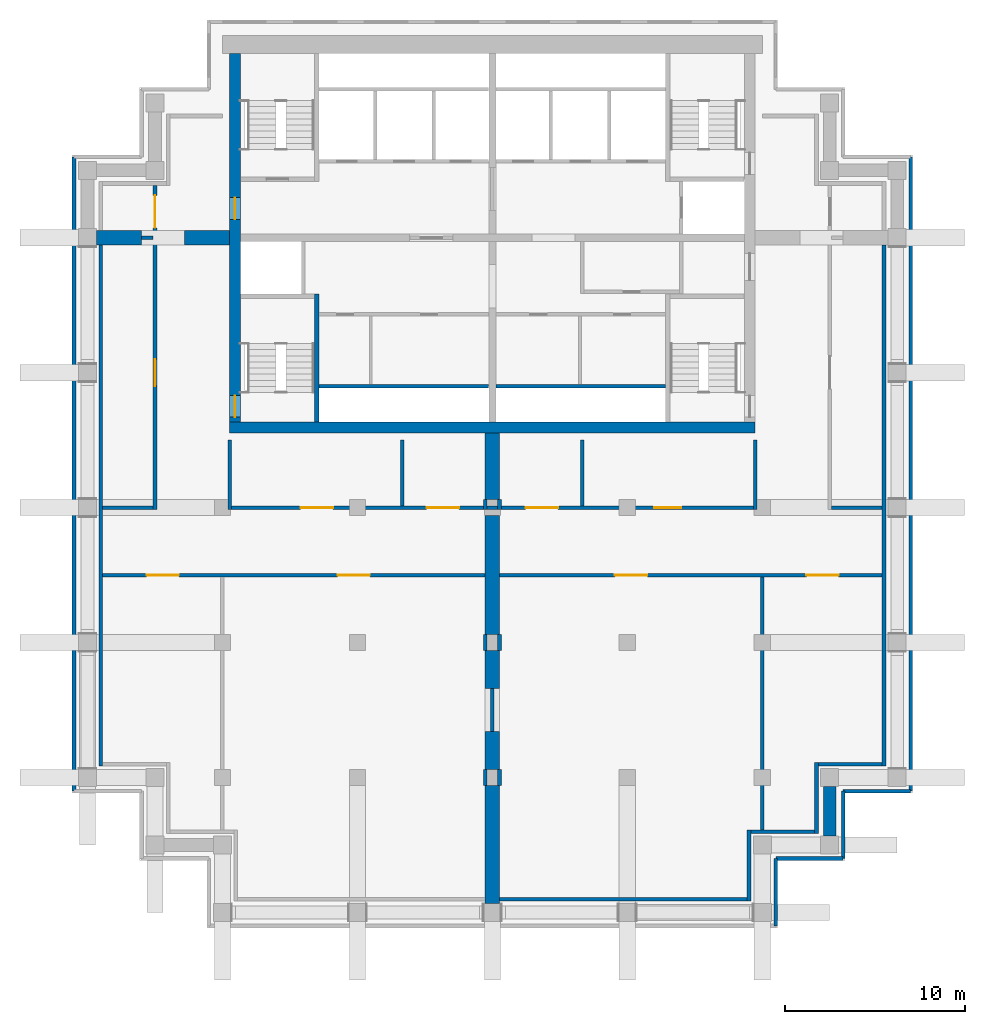
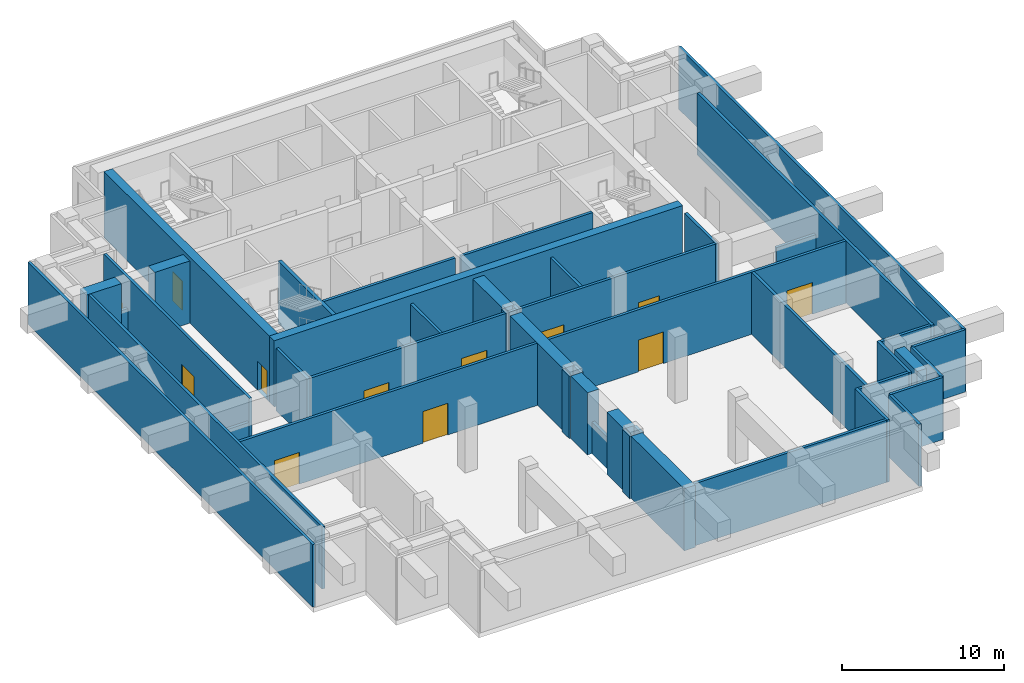
# One storey, part 2 of 6: 47 walls, 12 doors, 12 openings.
"""IFC4 building model written with IfcOpenShell, lengths in metres."""

from ifc_helpers import new_model, si_unit, direction, frame, frame_2d, origin, place, context, subcontext, project, spatial, rectangle, extrude, material, layer, layer_set, type_object, element, fill, save


model = new_model("IFC4")

# Units and contexts
model_context = context("Model", 3, precision=1e-05, world=origin(), true_north=direction((0.0, 1.0)))
body_context = subcontext(model_context, "Body", "Model", "MODEL_VIEW")
ifc_project = project(units=[si_unit("LENGTHUNIT", "METRE"), si_unit("AREAUNIT", "SQUARE_METRE"), si_unit("VOLUMEUNIT", "CUBIC_METRE"), si_unit("PLANEANGLEUNIT", "RADIAN"), si_unit("MASSUNIT", "GRAM", prefix="KILO")], contexts=[model_context])

# Site, building, storey
site_placement = place(None, origin())
site = spatial("IfcSite", under=ifc_project, at=site_placement, CompositionType="ELEMENT")
building_placement = place(site_placement, origin())
building = spatial("IfcBuilding", under=site, at=building_placement, Name="Pilkhan Gate Tower", CompositionType="ELEMENT")
storey_placement = place(building_placement, frame((0.0, 0.0, 183.699951171875)))
storey = spatial("IfcBuildingStorey", under=building, at=storey_placement, Name="L47", CompositionType="ELEMENT", Elevation=183.699951171875)

# Walls
ifc_material_1 = material(Name="Concrete C60/75", Category="concrete")
ifc_layer_1 = layer(ifc_material_1, 0.699951171875)
ifc_layer_set_1 = layer_set([ifc_layer_1], Name="Belt wall BW700 C60/75")
wall_type_1 = type_object("IfcWallType", Name="Belt wall BW700 C60/75", PredefinedType="SHEAR", material=ifc_layer_set_1)
wall_1_placement = place(storey_placement, frame((93.75, 52.0, 0.0), z_axis=(0.0, 0.0, 1.0), x_axis=(0.0, -1.0, 0.0)))
element("IfcWall", 1, at=wall_1_placement, inside=storey, type_object=wall_type_1, Name="Belt wall 1 L47", PredefinedType="SHEAR", context=body_context, shape_type="SweptSolid", body=[
    extrude(rectangle(XDim=2.75, YDim=0.699951171875, at=frame_2d((1.375, 0.0))), origin(), (0.0, 0.0, 1.0), 4.699951171875),
])
ifc_material_2 = material(Name="Concrete C50/60", Category="concrete")
ifc_layer_2 = layer(ifc_material_2, 0.60009765625)
ifc_layer_set_2 = layer_set([ifc_layer_2], Name="Core wall CW600 C50/60")
wall_type_2 = type_object("IfcWallType", Name="Core wall CW600 C50/60", PredefinedType="SHEAR", material=ifc_layer_set_2)
wall_2_placement = place(storey_placement, frame((60.39990234375, 71.949951171875, 0.0), z_axis=(0.0, 0.0, 1.0), x_axis=(1.0, 0.0, 0.0)))
element("IfcWall", 2, at=wall_2_placement, inside=storey, type_object=wall_type_2, Name="Core wall S L47", PredefinedType="SHEAR", context=body_context, shape_type="SweptSolid", body=[
    extrude(rectangle(XDim=29.2001953125, YDim=0.60009765625, at=frame_2d((14.60009765625, 0.0))), origin(), (0.0, 0.0, 1.0), 5.0),
])

# Wall, openings, doors
wall_3_placement = place(storey_placement, frame((60.699951171875, 92.75, 0.0), z_axis=(0.0, 0.0, 1.0), x_axis=(0.0, -1.0, 0.0)))
wall_3 = element("IfcWall", 3, at=wall_3_placement, inside=storey, type_object=wall_type_2, Name="Core wall W L47", PredefinedType="SHEAR", context=body_context, shape_type="SweptSolid", body=[
    extrude(rectangle(XDim=20.5, YDim=0.60009765625, at=frame_2d((10.25, 0.0))), origin(), (0.0, 0.0, 1.0), 5.0),
])
opening_1_placement = place(wall_3_placement, frame((19.02490234375, 0.0, 0.0)))
opening_1 = element("IfcOpeningElement", 4, at=opening_1_placement, cuts=wall_3, Name="Opening L47-04", PredefinedType="OPENING", context=body_context, shape_type="SweptSolid", body=[
    extrude(rectangle(XDim=1.199951171875, YDim=2.199951171875, at=frame_2d((0.60009765625, 1.10009765625))), frame((0.0, 0.31005859375, 0.0), z_axis=(0.0, -1.0, 0.0), x_axis=(1.0, 0.0, 0.0)), (0.0, 0.0, 1.0), 0.6201171875),
])
opening_2_placement = place(wall_3_placement, frame((8.02490234375, 0.0, 0.0)))
opening_2 = element("IfcOpeningElement", 5, at=opening_2_placement, cuts=wall_3, Name="Opening L47-11", PredefinedType="OPENING", context=body_context, shape_type="SweptSolid", body=[
    extrude(rectangle(XDim=1.199951171875, YDim=2.199951171875, at=frame_2d((0.60009765625, 1.10009765625))), frame((0.0, 0.31005859375, 0.0), z_axis=(0.0, -1.0, 0.0), x_axis=(1.0, 0.0, 0.0)), (0.0, 0.0, 1.0), 0.6201171875),
])
ifc_material_3 = material(Name="Steel door, 120 minute fire resisting, self-closing", Category="steel")
door_type_1 = type_object("IfcDoorType", Name="Firefighting lobby door D10 1200x2200", OperationType="SINGLE_SWING_LEFT", PredefinedType="DOOR", material=ifc_material_3)
door_1_placement = place(opening_2_placement, origin())
door_1 = element("IfcDoor", 6, at=door_1_placement, inside=storey, type_object=door_type_1, Name="Core door", OperationType="SINGLE_SWING_LEFT", OverallHeight=2.199951171875, OverallWidth=1.199951171875, PredefinedType="DOOR", context=body_context, shape_type="SweptSolid", body=[
    extrude(rectangle(XDim=1.199951171875, YDim=2.199951171875, at=frame_2d((0.60009765625, 1.10009765625))), frame((0.0, 0.02490234375, 0.0), z_axis=(0.0, -1.0, 0.0), x_axis=(1.0, 0.0, 0.0)), (0.0, 0.0, 1.0), 0.050048828125),
])
fill(opening_2, door_1)
ifc_material_4 = material(Name="Steel door, 120 minute fire resisting, panic bar", Category="steel")
door_type_2 = type_object("IfcDoorType", Name="Stair door D11 1200x2200", OperationType="SINGLE_SWING_LEFT", PredefinedType="DOOR", material=ifc_material_4)
door_2_placement = place(opening_1_placement, origin())
door_2 = element("IfcDoor", 7, at=door_2_placement, inside=storey, type_object=door_type_2, Name="Stair ST2 door", OperationType="SINGLE_SWING_RIGHT", OverallHeight=2.199951171875, OverallWidth=1.199951171875, PredefinedType="DOOR", context=body_context, shape_type="SweptSolid", body=[
    extrude(rectangle(XDim=1.199951171875, YDim=2.199951171875, at=frame_2d((0.60009765625, 1.10009765625))), frame((0.0, 0.02490234375, 0.0), z_axis=(0.0, -1.0, 0.0), x_axis=(1.0, 0.0, 0.0)), (0.0, 0.0, 1.0), 0.050048828125),
])
fill(opening_1, door_2)

# Walls
ifc_material_5 = material(Name="Dense blockwork", Category="masonry")
ifc_layer_3 = layer(ifc_material_5, 0.199951171875)
ifc_layer_set_3 = layer_set([ifc_layer_3], Name="Corridor wall FW200")
wall_type_3 = type_object("IfcWallType", Name="Corridor wall FW200", PredefinedType="PARTITIONING", material=ifc_layer_set_3)
wall_4_placement = place(storey_placement, frame((74.699951171875, 67.5, 0.0), z_axis=(0.0, 0.0, 1.0), x_axis=(1.0, 0.0, 0.0)))
element("IfcWall", 8, at=wall_4_placement, inside=storey, type_object=wall_type_3, Name="Partition L47", PredefinedType="PARTITIONING", context=body_context, shape_type="SweptSolid", body=[
    extrude(rectangle(XDim=0.60009765625, YDim=0.199951171875, at=frame_2d((0.300048828125, 0.0))), origin(), (0.0, 0.0, 1.0), 4.699951171875),
])
ifc_layer_4 = layer(ifc_material_5, 0.199951171875)
ifc_layer_set_4 = layer_set([ifc_layer_4], Name="Lobby wall LW200")
wall_type_4 = type_object("IfcWallType", Name="Lobby wall LW200", PredefinedType="PARTITIONING", material=ifc_layer_set_4)
wall_5_placement = place(storey_placement, frame((75.409912109375, 45.735107421875, 0.0), z_axis=(0.0, 0.0, 1.0), x_axis=(1.0, 0.0, 0.0)))
element("IfcWall", 9, at=wall_5_placement, inside=storey, type_object=wall_type_4, Name="Partition L47", PredefinedType="PARTITIONING", context=body_context, shape_type="SweptSolid", body=[
    extrude(rectangle(XDim=13.755126953125, YDim=0.199951171875, at=frame_2d((6.87744140625, 0.0))), origin(), (0.0, 0.0, 1.0), 4.699951171875),
])
for number, where, z_axis, x_axis, name in (
    (10, (89.364990234375, 49.485107421875, 0.0), (0.0, 0.0, 1.0), (1.0, 0.0, 0.0), "Partition L47"),
    (11, (93.114990234375, 53.235107421875, 0.0), (0.0, 0.0, 1.0), (1.0, 0.0, 0.0), "Partition L47"),
):
    element("IfcWall", number, at=place(storey_placement, frame(where, z_axis=z_axis, x_axis=x_axis)), inside=storey, type_object=wall_type_4, Name=name, PredefinedType="PARTITIONING", context=body_context, shape_type="SweptSolid", body=[
        extrude(rectangle(XDim=3.550048828125, YDim=0.199951171875, at=frame_2d((1.77490234375, 0.0))), origin(), (0.0, 0.0, 1.0), 4.699951171875),
    ])

# Wall, openings, doors
wall_6_placement = place(storey_placement, frame((53.3349609375, 63.75, 0.0), z_axis=(0.0, 0.0, 1.0), x_axis=(1.0, 0.0, 0.0)))
wall_6 = element("IfcWall", 12, at=wall_6_placement, inside=storey, type_object=wall_type_4, Name="Partition L47", PredefinedType="PARTITIONING", context=body_context, shape_type="SweptSolid", body=[
    extrude(rectangle(XDim=21.255126953125, YDim=0.199951171875, at=frame_2d((10.62744140625, 0.0))), origin(), (0.0, 0.0, 1.0), 4.699951171875),
])
opening_3_placement = place(wall_6_placement, frame((2.449951171875, 0.0, 0.0)))
opening_3 = element("IfcOpeningElement", 13, at=opening_3_placement, cuts=wall_6, Name="Opening L47-16", PredefinedType="OPENING", context=body_context, shape_type="SweptSolid", body=[
    extrude(rectangle(XDim=1.800048828125, YDim=2.39990234375, at=frame_2d((0.89990234375, 1.199951171875))), frame((0.0, 0.10986328125, 0.0), z_axis=(0.0, -1.0, 0.0), x_axis=(1.0, 0.0, 0.0)), (0.0, 0.0, 1.0), 0.219970703125),
])
opening_4_placement = place(wall_6_placement, frame((13.06494140625, 0.0, 0.0)))
opening_4 = element("IfcOpeningElement", 14, at=opening_4_placement, cuts=wall_6, Name="Opening L47-17", PredefinedType="OPENING", context=body_context, shape_type="SweptSolid", body=[
    extrude(rectangle(XDim=1.800048828125, YDim=2.39990234375, at=frame_2d((0.89990234375, 1.199951171875))), frame((0.0, 0.10986328125, 0.0), z_axis=(0.0, -1.0, 0.0), x_axis=(1.0, 0.0, 0.0)), (0.0, 0.0, 1.0), 0.219970703125),
])
ifc_material_6 = material(Name="Steel door, 120 minute fire resisting", Category="steel")
door_type_3 = type_object("IfcDoorType", Name="Plant room door D08 1800x2400", OperationType="DOUBLE_DOOR_SINGLE_SWING", PredefinedType="DOOR", material=ifc_material_6)
door_3_placement = place(opening_3_placement, origin())
door_3 = element("IfcDoor", 15, at=door_3_placement, inside=storey, type_object=door_type_3, Name="Plant room door", OperationType="DOUBLE_DOOR_SINGLE_SWING", OverallHeight=2.39990234375, OverallWidth=1.800048828125, PredefinedType="DOOR", context=body_context, shape_type="SweptSolid", body=[
    extrude(rectangle(XDim=1.800048828125, YDim=2.39990234375, at=frame_2d((0.89990234375, 1.199951171875))), frame((0.0, 0.02490234375, 0.0), z_axis=(0.0, -1.0, 0.0), x_axis=(1.0, 0.0, 0.0)), (0.0, 0.0, 1.0), 0.050048828125),
])
fill(opening_3, door_3)
door_4_placement = place(opening_4_placement, origin())
door_4 = element("IfcDoor", 16, at=door_4_placement, inside=storey, type_object=door_type_3, Name="Plant room door", OperationType="DOUBLE_DOOR_SINGLE_SWING", OverallHeight=2.39990234375, OverallWidth=1.800048828125, PredefinedType="DOOR", context=body_context, shape_type="SweptSolid", body=[
    extrude(rectangle(XDim=1.800048828125, YDim=2.39990234375, at=frame_2d((0.89990234375, 1.199951171875))), frame((0.0, 0.02490234375, 0.0), z_axis=(0.0, -1.0, 0.0), x_axis=(1.0, 0.0, 0.0)), (0.0, 0.0, 1.0), 0.050048828125),
])
fill(opening_4, door_4)

wall_7_placement = place(storey_placement, frame((75.409912109375, 63.75, 0.0), z_axis=(0.0, 0.0, 1.0), x_axis=(1.0, 0.0, 0.0)))
wall_7 = element("IfcWall", 17, at=wall_7_placement, inside=storey, type_object=wall_type_4, Name="Partition L47", PredefinedType="PARTITIONING", context=body_context, shape_type="SweptSolid", body=[
    extrude(rectangle(XDim=21.255126953125, YDim=0.199951171875, at=frame_2d((10.62744140625, 0.0))), origin(), (0.0, 0.0, 1.0), 4.699951171875),
])
opening_5_placement = place(wall_7_placement, frame((6.39990234375, 0.0, 0.0)))
opening_5 = element("IfcOpeningElement", 18, at=opening_5_placement, cuts=wall_7, Name="Opening L47-18", PredefinedType="OPENING", context=body_context, shape_type="SweptSolid", body=[
    extrude(rectangle(XDim=1.800048828125, YDim=2.39990234375, at=frame_2d((0.89990234375, 1.199951171875))), frame((0.0, 0.10986328125, 0.0), z_axis=(0.0, -1.0, 0.0), x_axis=(1.0, 0.0, 0.0)), (0.0, 0.0, 1.0), 0.219970703125),
])
opening_6_placement = place(wall_7_placement, frame((17.0400390625, 0.0, 0.0)))
opening_6 = element("IfcOpeningElement", 19, at=opening_6_placement, cuts=wall_7, Name="Opening L47-19", PredefinedType="OPENING", context=body_context, shape_type="SweptSolid", body=[
    extrude(rectangle(XDim=1.800048828125, YDim=2.39990234375, at=frame_2d((0.89990234375, 1.199951171875))), frame((0.0, 0.10986328125, 0.0), z_axis=(0.0, -1.0, 0.0), x_axis=(1.0, 0.0, 0.0)), (0.0, 0.0, 1.0), 0.219970703125),
])
door_5_placement = place(opening_5_placement, origin())
door_5 = element("IfcDoor", 20, at=door_5_placement, inside=storey, type_object=door_type_3, Name="Plant room door", OperationType="DOUBLE_DOOR_SINGLE_SWING", OverallHeight=2.39990234375, OverallWidth=1.800048828125, PredefinedType="DOOR", context=body_context, shape_type="SweptSolid", body=[
    extrude(rectangle(XDim=1.800048828125, YDim=2.39990234375, at=frame_2d((0.89990234375, 1.199951171875))), frame((0.0, 0.02490234375, 0.0), z_axis=(0.0, -1.0, 0.0), x_axis=(1.0, 0.0, 0.0)), (0.0, 0.0, 1.0), 0.050048828125),
])
fill(opening_5, door_5)
door_6_placement = place(opening_6_placement, origin())
door_6 = element("IfcDoor", 21, at=door_6_placement, inside=storey, type_object=door_type_3, Name="Plant room door", OperationType="DOUBLE_DOOR_SINGLE_SWING", OverallHeight=2.39990234375, OverallWidth=1.800048828125, PredefinedType="DOOR", context=body_context, shape_type="SweptSolid", body=[
    extrude(rectangle(XDim=1.800048828125, YDim=2.39990234375, at=frame_2d((0.89990234375, 1.199951171875))), frame((0.0, 0.02490234375, 0.0), z_axis=(0.0, -1.0, 0.0), x_axis=(1.0, 0.0, 0.0)), (0.0, 0.0, 1.0), 0.050048828125),
])
fill(opening_6, door_6)

# Wall
wall_8_placement = place(storey_placement, frame((53.3349609375, 67.5, 0.0), z_axis=(0.0, 0.0, 1.0), x_axis=(1.0, 0.0, 0.0)))
element("IfcWall", 22, at=wall_8_placement, inside=storey, type_object=wall_type_4, Name="Partition L47", PredefinedType="PARTITIONING", context=body_context, shape_type="SweptSolid", body=[
    extrude(rectangle(XDim=2.81494140625, YDim=0.199951171875, at=frame_2d((1.407470703125, 0.0))), origin(), (0.0, 0.0, 1.0), 2.900146484375),
])

# Wall, openings, doors
wall_9_placement = place(storey_placement, frame((60.5, 67.5, 0.0), z_axis=(0.0, 0.0, 1.0), x_axis=(1.0, 0.0, 0.0)))
wall_9 = element("IfcWall", 23, at=wall_9_placement, inside=storey, type_object=wall_type_4, Name="Partition L47", PredefinedType="PARTITIONING", context=body_context, shape_type="SweptSolid", body=[
    extrude(rectangle(XDim=14.0, YDim=0.199951171875, at=frame_2d((7.0, 0.0))), origin(), (0.0, 0.0, 1.0), 4.699951171875),
])
opening_7_placement = place(wall_9_placement, frame((3.85009765625, 0.0, 0.0)))
opening_7 = element("IfcOpeningElement", 24, at=opening_7_placement, cuts=wall_9, Name="Opening L47-20", PredefinedType="OPENING", context=body_context, shape_type="SweptSolid", body=[
    extrude(rectangle(XDim=1.800048828125, YDim=2.39990234375, at=frame_2d((0.89990234375, 1.199951171875))), frame((0.0, 0.10986328125, 0.0), z_axis=(0.0, -1.0, 0.0), x_axis=(1.0, 0.0, 0.0)), (0.0, 0.0, 1.0), 0.219970703125),
])
opening_8_placement = place(wall_9_placement, frame((10.85009765625, 0.0, 0.0)))
opening_8 = element("IfcOpeningElement", 25, at=opening_8_placement, cuts=wall_9, Name="Opening L47-21", PredefinedType="OPENING", context=body_context, shape_type="SweptSolid", body=[
    extrude(rectangle(XDim=1.800048828125, YDim=2.39990234375, at=frame_2d((0.89990234375, 1.199951171875))), frame((0.0, 0.10986328125, 0.0), z_axis=(0.0, -1.0, 0.0), x_axis=(1.0, 0.0, 0.0)), (0.0, 0.0, 1.0), 0.219970703125),
])
door_7_placement = place(opening_7_placement, origin())
door_7 = element("IfcDoor", 26, at=door_7_placement, inside=storey, type_object=door_type_3, Name="Plant room door", OperationType="DOUBLE_DOOR_SINGLE_SWING", OverallHeight=2.39990234375, OverallWidth=1.800048828125, PredefinedType="DOOR", context=body_context, shape_type="SweptSolid", body=[
    extrude(rectangle(XDim=1.800048828125, YDim=2.39990234375, at=frame_2d((0.89990234375, 1.199951171875))), frame((0.0, 0.02490234375, 0.0), z_axis=(0.0, -1.0, 0.0), x_axis=(1.0, 0.0, 0.0)), (0.0, 0.0, 1.0), 0.050048828125),
])
fill(opening_7, door_7)
door_8_placement = place(opening_8_placement, origin())
door_8 = element("IfcDoor", 27, at=door_8_placement, inside=storey, type_object=door_type_3, Name="Plant room door", OperationType="DOUBLE_DOOR_SINGLE_SWING", OverallHeight=2.39990234375, OverallWidth=1.800048828125, PredefinedType="DOOR", context=body_context, shape_type="SweptSolid", body=[
    extrude(rectangle(XDim=1.800048828125, YDim=2.39990234375, at=frame_2d((0.89990234375, 1.199951171875))), frame((0.0, 0.02490234375, 0.0), z_axis=(0.0, -1.0, 0.0), x_axis=(1.0, 0.0, 0.0)), (0.0, 0.0, 1.0), 0.050048828125),
])
fill(opening_8, door_8)

wall_10_placement = place(storey_placement, frame((75.5, 67.5, 0.0), z_axis=(0.0, 0.0, 1.0), x_axis=(1.0, 0.0, 0.0)))
wall_10 = element("IfcWall", 28, at=wall_10_placement, inside=storey, type_object=wall_type_4, Name="Partition L47", PredefinedType="PARTITIONING", context=body_context, shape_type="SweptSolid", body=[
    extrude(rectangle(XDim=14.0, YDim=0.199951171875, at=frame_2d((7.0, 0.0))), origin(), (0.0, 0.0, 1.0), 4.699951171875),
])
opening_9_placement = place(wall_10_placement, frame((8.5, 0.0, 0.0)))
opening_9 = element("IfcOpeningElement", 29, at=opening_9_placement, cuts=wall_10, Name="Opening L47-06", PredefinedType="OPENING", context=body_context, shape_type="SweptSolid", body=[
    extrude(rectangle(XDim=1.5, YDim=2.199951171875, at=frame_2d((0.75, 1.10009765625))), frame((0.0, 0.10986328125, 0.0), z_axis=(0.0, -1.0, 0.0), x_axis=(1.0, 0.0, 0.0)), (0.0, 0.0, 1.0), 0.219970703125),
])
opening_10_placement = place(wall_10_placement, frame((1.35009765625, 0.0, 0.0)))
opening_10 = element("IfcOpeningElement", 30, at=opening_10_placement, cuts=wall_10, Name="Opening L47-22", PredefinedType="OPENING", context=body_context, shape_type="SweptSolid", body=[
    extrude(rectangle(XDim=1.800048828125, YDim=2.39990234375, at=frame_2d((0.89990234375, 1.199951171875))), frame((0.0, 0.10986328125, 0.0), z_axis=(0.0, -1.0, 0.0), x_axis=(1.0, 0.0, 0.0)), (0.0, 0.0, 1.0), 0.219970703125),
])
ifc_material_7 = material(Name="Steel framed glazed door, 60 minute fire resisting", Category="steel")
door_type_4 = type_object("IfcDoorType", Name="Lobby door D09 1500x2200", OperationType="DOUBLE_DOOR_SINGLE_SWING", PredefinedType="DOOR", material=ifc_material_7)
door_9_placement = place(opening_9_placement, origin())
door_9 = element("IfcDoor", 31, at=door_9_placement, inside=storey, type_object=door_type_4, Name="Refuge door", OperationType="DOUBLE_DOOR_SINGLE_SWING", OverallHeight=2.199951171875, OverallWidth=1.5, PredefinedType="DOOR", context=body_context, shape_type="SweptSolid", body=[
    extrude(rectangle(XDim=1.5, YDim=2.199951171875, at=frame_2d((0.75, 1.10009765625))), frame((0.0, 0.02490234375, 0.0), z_axis=(0.0, -1.0, 0.0), x_axis=(1.0, 0.0, 0.0)), (0.0, 0.0, 1.0), 0.050048828125),
])
fill(opening_9, door_9)
door_10_placement = place(opening_10_placement, origin())
door_10 = element("IfcDoor", 32, at=door_10_placement, inside=storey, type_object=door_type_3, Name="Plant room door", OperationType="DOUBLE_DOOR_SINGLE_SWING", OverallHeight=2.39990234375, OverallWidth=1.800048828125, PredefinedType="DOOR", context=body_context, shape_type="SweptSolid", body=[
    extrude(rectangle(XDim=1.800048828125, YDim=2.39990234375, at=frame_2d((0.89990234375, 1.199951171875))), frame((0.0, 0.02490234375, 0.0), z_axis=(0.0, -1.0, 0.0), x_axis=(1.0, 0.0, 0.0)), (0.0, 0.0, 1.0), 0.050048828125),
])
fill(opening_10, door_10)

# Walls
wall_11_placement = place(storey_placement, frame((93.85009765625, 67.5, 0.0), z_axis=(0.0, 0.0, 1.0), x_axis=(1.0, 0.0, 0.0)))
element("IfcWall", 33, at=wall_11_placement, inside=storey, type_object=wall_type_4, Name="Partition L47", PredefinedType="PARTITIONING", context=body_context, shape_type="SweptSolid", body=[
    extrude(rectangle(XDim=2.81494140625, YDim=0.199951171875, at=frame_2d((1.407470703125, 0.0))), origin(), (0.0, 0.0, 1.0), 2.900146484375),
])
for number, where, z_axis, x_axis, name in (
    (34, (65.375, 74.25, 0.0), (0.0, 0.0, 1.0), (1.0, 0.0, 0.0), "Partition L47"),
    (35, (75.2099609375, 74.25, 0.0), (0.0, 0.0, 1.0), (1.0, 0.0, 0.0), "Partition L47"),
):
    element("IfcWall", number, at=place(storey_placement, frame(where, z_axis=z_axis, x_axis=x_axis)), inside=storey, type_object=wall_type_4, Name=name, PredefinedType="PARTITIONING", context=body_context, shape_type="SweptSolid", body=[
        extrude(rectangle(XDim=9.4150390625, YDim=0.199951171875, at=frame_2d((4.70751953125, 0.0))), origin(), (0.0, 0.0, 1.0), 4.699951171875),
    ])
wall_12_placement = place(storey_placement, frame((55.510009765625, 82.5, 0.0), z_axis=(0.0, 0.0, 1.0), x_axis=(1.0, 0.0, 0.0)))
element("IfcWall", 36, at=wall_12_placement, inside=storey, type_object=wall_type_4, Name="Partition L47", PredefinedType="PARTITIONING", context=body_context, shape_type="SweptSolid", body=[
    extrude(rectangle(XDim=0.639892578125, YDim=0.199951171875, at=frame_2d((0.31982421875, 0.0))), origin(), (0.0, 0.0, 1.0), 2.400146484375),
])
wall_13_placement = place(storey_placement, frame((53.235107421875, 53.135009765625, 0.0), z_axis=(0.0, 0.0, 1.0), x_axis=(0.0, 1.0, 0.0)))
element("IfcWall", 37, at=wall_13_placement, inside=storey, type_object=wall_type_4, Name="Partition L47", PredefinedType="PARTITIONING", context=body_context, shape_type="SweptSolid", body=[
    extrude(rectangle(XDim=28.955078125, YDim=0.199951171875, at=frame_2d((14.4775390625, 0.0))), origin(), (0.0, 0.0, 1.0), 4.699951171875),
])

# Wall, openings, doors
wall_14_placement = place(storey_placement, frame((56.25, 67.39990234375, 0.0), z_axis=(0.0, 0.0, 1.0), x_axis=(0.0, 1.0, 0.0)))
wall_14 = element("IfcWall", 38, at=wall_14_placement, inside=storey, type_object=wall_type_4, Name="Partition L47", PredefinedType="PARTITIONING", context=body_context, shape_type="SweptSolid", body=[
    extrude(rectangle(XDim=18.01513671875, YDim=0.199951171875, at=frame_2d((9.007568359375, 0.0))), origin(), (0.0, 0.0, 1.0), 4.699951171875),
])
opening_11_placement = place(wall_14_placement, frame((6.85009765625, 0.0, 0.0)))
opening_11 = element("IfcOpeningElement", 39, at=opening_11_placement, cuts=wall_14, Name="Opening L47-07", PredefinedType="OPENING", context=body_context, shape_type="SweptSolid", body=[
    extrude(rectangle(XDim=1.5, YDim=2.199951171875, at=frame_2d((0.75, 1.10009765625))), frame((0.0, 0.10986328125, 0.0), z_axis=(0.0, -1.0, 0.0), x_axis=(1.0, 0.0, 0.0)), (0.0, 0.0, 1.0), 0.219970703125),
])
opening_12_placement = place(wall_14_placement, frame((15.64990234375, 0.0, 0.0)))
opening_12 = element("IfcOpeningElement", 40, at=opening_12_placement, cuts=wall_14, Name="Opening L47-23", PredefinedType="OPENING", context=body_context, shape_type="SweptSolid", body=[
    extrude(rectangle(XDim=1.800048828125, YDim=2.39990234375, at=frame_2d((0.89990234375, 1.199951171875))), frame((0.0, 0.10986328125, 0.0), z_axis=(0.0, -1.0, 0.0), x_axis=(1.0, 0.0, 0.0)), (0.0, 0.0, 1.0), 0.219970703125),
])
door_11_placement = place(opening_11_placement, origin())
door_11 = element("IfcDoor", 41, at=door_11_placement, inside=storey, type_object=door_type_4, Name="Refuge door", OperationType="DOUBLE_DOOR_SINGLE_SWING", OverallHeight=2.199951171875, OverallWidth=1.5, PredefinedType="DOOR", context=body_context, shape_type="SweptSolid", body=[
    extrude(rectangle(XDim=1.5, YDim=2.199951171875, at=frame_2d((0.75, 1.10009765625))), frame((0.0, 0.02490234375, 0.0), z_axis=(0.0, -1.0, 0.0), x_axis=(1.0, 0.0, 0.0)), (0.0, 0.0, 1.0), 0.050048828125),
])
fill(opening_11, door_11)
door_12_placement = place(opening_12_placement, origin())
door_12 = element("IfcDoor", 42, at=door_12_placement, inside=storey, type_object=door_type_3, Name="Plant room door", OperationType="DOUBLE_DOOR_SINGLE_SWING", OverallHeight=2.39990234375, OverallWidth=1.800048828125, PredefinedType="DOOR", context=body_context, shape_type="SweptSolid", body=[
    extrude(rectangle(XDim=1.800048828125, YDim=2.39990234375, at=frame_2d((0.89990234375, 1.199951171875))), frame((0.0, 0.02490234375, 0.0), z_axis=(0.0, -1.0, 0.0), x_axis=(1.0, 0.0, 0.0)), (0.0, 0.0, 1.0), 0.050048828125),
])
fill(opening_12, door_12)

# Walls
wall_15_placement = place(storey_placement, frame((60.39990234375, 67.39990234375, 0.0), z_axis=(0.0, 0.0, 1.0), x_axis=(0.0, 1.0, 0.0)))
element("IfcWall", 43, at=wall_15_placement, inside=storey, type_object=wall_type_4, Name="Partition L47", PredefinedType="PARTITIONING", context=body_context, shape_type="SweptSolid", body=[
    extrude(rectangle(XDim=3.85009765625, YDim=0.199951171875, at=frame_2d((1.925048828125, 0.0))), origin(), (0.0, 0.0, 1.0), 4.699951171875),
])
wall_16_placement = place(storey_placement, frame((70.0, 67.60009765625, 0.0), z_axis=(0.0, 0.0, 1.0), x_axis=(0.0, 1.0, 0.0)))
element("IfcWall", 44, at=wall_16_placement, inside=storey, type_object=wall_type_4, Name="Partition L47", PredefinedType="PARTITIONING", context=body_context, shape_type="SweptSolid", body=[
    extrude(rectangle(XDim=3.64990234375, YDim=0.199951171875, at=frame_2d((1.824951171875, 0.0))), origin(), (0.0, 0.0, 1.0), 4.699951171875),
])
for number, where, z_axis, x_axis, name in (
    (45, (74.60009765625, 52.06005859375, 0.0), (0.0, 0.0, 1.0), (0.0, 1.0, 0.0), "Partition L47"),
    (46, (74.60009765625, 59.56005859375, 0.0), (0.0, 0.0, 1.0), (0.0, 1.0, 0.0), "Partition L47"),
):
    element("IfcWall", number, at=place(storey_placement, frame(where, z_axis=z_axis, x_axis=x_axis)), inside=storey, type_object=wall_type_4, Name=name, PredefinedType="PARTITIONING", context=body_context, shape_type="SweptSolid", body=[
        extrude(rectangle(XDim=0.8798828125, YDim=0.199951171875, at=frame_2d((0.43994140625, 0.0))), origin(), (0.0, 0.0, 1.0), 4.699951171875),
    ])
wall_17_placement = place(storey_placement, frame((74.60009765625, 67.39990234375, 0.0), z_axis=(0.0, 0.0, 1.0), x_axis=(0.0, 1.0, 0.0)))
element("IfcWall", 47, at=wall_17_placement, inside=storey, type_object=wall_type_4, Name="Partition L47", PredefinedType="PARTITIONING", context=body_context, shape_type="SweptSolid", body=[
    extrude(rectangle(XDim=0.5400390625, YDim=0.199951171875, at=frame_2d((0.27001953125, 0.0))), origin(), (0.0, 0.0, 1.0), 4.699951171875),
])
wall_18_placement = place(storey_placement, frame((75.0, 55.050048828125, 0.0), z_axis=(0.0, 0.0, 1.0), x_axis=(0.0, 1.0, 0.0)))
element("IfcWall", 48, at=wall_18_placement, inside=storey, type_object=wall_type_4, Name="Partition L47", PredefinedType="PARTITIONING", context=body_context, shape_type="SweptSolid", body=[
    extrude(rectangle(XDim=2.39990234375, YDim=0.199951171875, at=frame_2d((1.199951171875, 0.0))), origin(), (0.0, 0.0, 1.0), 2.400146484375),
])
for number, where, z_axis, x_axis, name in (
    (49, (75.39990234375, 52.06005859375, 0.0), (0.0, 0.0, 1.0), (0.0, 1.0, 0.0), "Partition L47"),
    (50, (75.39990234375, 59.56005859375, 0.0), (0.0, 0.0, 1.0), (0.0, 1.0, 0.0), "Partition L47"),
):
    element("IfcWall", number, at=place(storey_placement, frame(where, z_axis=z_axis, x_axis=x_axis)), inside=storey, type_object=wall_type_4, Name=name, PredefinedType="PARTITIONING", context=body_context, shape_type="SweptSolid", body=[
        extrude(rectangle(XDim=0.8798828125, YDim=0.199951171875, at=frame_2d((0.43994140625, 0.0))), origin(), (0.0, 0.0, 1.0), 4.699951171875),
    ])
wall_19_placement = place(storey_placement, frame((75.39990234375, 67.39990234375, 0.0), z_axis=(0.0, 0.0, 1.0), x_axis=(0.0, 1.0, 0.0)))
element("IfcWall", 51, at=wall_19_placement, inside=storey, type_object=wall_type_4, Name="Partition L47", PredefinedType="PARTITIONING", context=body_context, shape_type="SweptSolid", body=[
    extrude(rectangle(XDim=0.5400390625, YDim=0.199951171875, at=frame_2d((0.27001953125, 0.0))), origin(), (0.0, 0.0, 1.0), 4.699951171875),
])
wall_20_placement = place(storey_placement, frame((80.0, 67.60009765625, 0.0), z_axis=(0.0, 0.0, 1.0), x_axis=(0.0, 1.0, 0.0)))
element("IfcWall", 52, at=wall_20_placement, inside=storey, type_object=wall_type_4, Name="Partition L47", PredefinedType="PARTITIONING", context=body_context, shape_type="SweptSolid", body=[
    extrude(rectangle(XDim=3.64990234375, YDim=0.199951171875, at=frame_2d((1.824951171875, 0.0))), origin(), (0.0, 0.0, 1.0), 4.699951171875),
])
wall_21_placement = place(storey_placement, frame((89.264892578125, 45.635009765625, 0.0), z_axis=(0.0, 0.0, 1.0), x_axis=(0.0, 1.0, 0.0)))
element("IfcWall", 53, at=wall_21_placement, inside=storey, type_object=wall_type_4, Name="Partition L47", PredefinedType="PARTITIONING", context=body_context, shape_type="SweptSolid", body=[
    extrude(rectangle(XDim=3.949951171875, YDim=0.199951171875, at=frame_2d((1.97509765625, 0.0))), origin(), (0.0, 0.0, 1.0), 4.699951171875),
])
wall_22_placement = place(storey_placement, frame((89.60009765625, 67.39990234375, 0.0), z_axis=(0.0, 0.0, 1.0), x_axis=(0.0, 1.0, 0.0)))
element("IfcWall", 54, at=wall_22_placement, inside=storey, type_object=wall_type_4, Name="Partition L47", PredefinedType="PARTITIONING", context=body_context, shape_type="SweptSolid", body=[
    extrude(rectangle(XDim=3.85009765625, YDim=0.199951171875, at=frame_2d((1.925048828125, 0.0))), origin(), (0.0, 0.0, 1.0), 4.699951171875),
])
wall_23_placement = place(storey_placement, frame((90.0, 49.5849609375, 0.0), z_axis=(0.0, 0.0, 1.0), x_axis=(0.0, 1.0, 0.0)))
element("IfcWall", 55, at=wall_23_placement, inside=storey, type_object=wall_type_4, Name="Partition L47", PredefinedType="PARTITIONING", context=body_context, shape_type="SweptSolid", body=[
    extrude(rectangle(XDim=14.06494140625, YDim=0.199951171875, at=frame_2d((7.032470703125, 0.0))), origin(), (0.0, 0.0, 1.0), 4.699951171875),
])
wall_24_placement = place(storey_placement, frame((93.014892578125, 49.385009765625, 0.0), z_axis=(0.0, 0.0, 1.0), x_axis=(0.0, 1.0, 0.0)))
element("IfcWall", 56, at=wall_24_placement, inside=storey, type_object=wall_type_4, Name="Partition L47", PredefinedType="PARTITIONING", context=body_context, shape_type="SweptSolid", body=[
    extrude(rectangle(XDim=3.949951171875, YDim=0.199951171875, at=frame_2d((1.97509765625, 0.0))), origin(), (0.0, 0.0, 1.0), 4.699951171875),
])
wall_25_placement = place(storey_placement, frame((96.764892578125, 53.135009765625, 0.0), z_axis=(0.0, 0.0, 1.0), x_axis=(0.0, 1.0, 0.0)))
element("IfcWall", 57, at=wall_25_placement, inside=storey, type_object=wall_type_4, Name="Partition L47", PredefinedType="PARTITIONING", context=body_context, shape_type="SweptSolid", body=[
    extrude(rectangle(XDim=28.955078125, YDim=0.199951171875, at=frame_2d((14.4775390625, 0.0))), origin(), (0.0, 0.0, 1.0), 4.699951171875),
])
ifc_layer_5 = layer(ifc_material_1, 0.800048828125)
ifc_layer_set_5 = layer_set([ifc_layer_5], Name="Outrigger wall OW800 C60/75")
wall_type_5 = type_object("IfcWallType", Name="Outrigger wall OW800 C60/75", PredefinedType="SHEAR", material=ifc_layer_set_5)
for number, where, z_axis, x_axis, name in (
    (58, (53.0, 82.5, 0.0), (0.0, 0.0, 1.0), (1.0, 0.0, 0.0), "Outrigger wall 1 L47"),
    (59, (57.89990234375, 82.5, 0.0), (0.0, 0.0, 1.0), (1.0, 0.0, 0.0), "Outrigger wall 2 L47"),
):
    element("IfcWall", number, at=place(storey_placement, frame(where, z_axis=z_axis, x_axis=x_axis)), inside=storey, type_object=wall_type_5, Name=name, PredefinedType="SHEAR", context=body_context, shape_type="SweptSolid", body=[
        extrude(rectangle(XDim=2.5, YDim=0.800048828125, at=frame_2d((1.25, 0.0))), origin(), (0.0, 0.0, 1.0), 4.699951171875),
    ])
wall_26_placement = place(storey_placement, frame((75.0, 45.5, 0.0), z_axis=(0.0, 0.0, 1.0), x_axis=(0.0, 1.0, 0.0)))
element("IfcWall", 60, at=wall_26_placement, inside=storey, type_object=wall_type_5, Name="Outrigger wall 1 L47", PredefinedType="SHEAR", context=body_context, shape_type="SweptSolid", body=[
    extrude(rectangle(XDim=6.550048828125, YDim=0.800048828125, at=frame_2d((3.27490234375, 0.0))), origin(), (0.0, 0.0, 1.0), 4.699951171875),
])
for number, where, z_axis, x_axis, name in (
    (61, (75.0, 52.949951171875, 0.0), (0.0, 0.0, 1.0), (0.0, 1.0, 0.0), "Outrigger wall 2 L47"),
    (62, (75.0, 57.449951171875, 0.0), (0.0, 0.0, 1.0), (0.0, 1.0, 0.0), "Outrigger wall 3 L47"),
):
    element("IfcWall", number, at=place(storey_placement, frame(where, z_axis=z_axis, x_axis=x_axis)), inside=storey, type_object=wall_type_5, Name=name, PredefinedType="SHEAR", context=body_context, shape_type="SweptSolid", body=[
        extrude(rectangle(XDim=2.10009765625, YDim=0.800048828125, at=frame_2d((1.050048828125, 0.0))), origin(), (0.0, 0.0, 1.0), 4.699951171875),
    ])
wall_27_placement = place(storey_placement, frame((75.0, 60.449951171875, 0.0), z_axis=(0.0, 0.0, 1.0), x_axis=(0.0, 1.0, 0.0)))
element("IfcWall", 63, at=wall_27_placement, inside=storey, type_object=wall_type_5, Name="Outrigger wall 4 L47", PredefinedType="SHEAR", context=body_context, shape_type="SweptSolid", body=[
    extrude(rectangle(XDim=6.60009765625, YDim=0.800048828125, at=frame_2d((3.300048828125, 0.0))), origin(), (0.0, 0.0, 1.0), 4.699951171875),
])
wall_28_placement = place(storey_placement, frame((75.0, 67.949951171875, 0.0), z_axis=(0.0, 0.0, 1.0), x_axis=(0.0, 1.0, 0.0)))
element("IfcWall", 64, at=wall_28_placement, inside=storey, type_object=wall_type_5, Name="Outrigger wall 5 L47", PredefinedType="SHEAR", context=body_context, shape_type="SweptSolid", body=[
    extrude(rectangle(XDim=3.699951171875, YDim=0.800048828125, at=frame_2d((1.85009765625, 0.0))), origin(), (0.0, 0.0, 1.0), 4.699951171875),
])
ifc_material_8 = material(Name="Pale anodised aluminium cladding", Category="aluminium")
ifc_layer_6 = layer(ifc_material_8, 0.199951171875)
ifc_layer_set_6 = layer_set([ifc_layer_6], Name="Plant screen wall PS200")
wall_type_6 = type_object("IfcWallType", Name="Plant screen wall PS200", PredefinedType="SOLIDWALL", material=ifc_layer_set_6)
for number, where, z_axis, x_axis, name in (
    (65, (98.25, 51.75, 0.0), (0.0, 0.0, 1.0), (0.0, 1.0, 0.0), "Plant screen wall L47 E"),
    (66, (51.75, 51.75, 0.0), (0.0, 0.0, 1.0), (0.0, 1.0, 0.0), "Plant screen wall L47 W"),
):
    element("IfcWall", number, at=place(storey_placement, frame(where, z_axis=z_axis, x_axis=x_axis)), inside=storey, type_object=wall_type_6, Name=name, PredefinedType="SOLIDWALL", context=body_context, shape_type="SweptSolid", body=[
        extrude(rectangle(XDim=35.25, YDim=0.199951171875, at=frame_2d((17.625, 0.0))), origin(), (0.0, 0.0, 1.0), 4.699951171875),
    ])
for number, where, z_axis, x_axis, name in (
    (67, (90.75, 44.25, 0.0), (0.0, 0.0, 1.0), (0.0, 1.0, 0.0), "Plant screen wall L47 E"),
    (68, (90.75, 48.0, 0.0), (0.0, 0.0, 1.0), (1.0, 0.0, 0.0), "Plant screen wall L47 S"),
    (69, (94.5, 48.0, 0.0), (0.0, 0.0, 1.0), (0.0, 1.0, 0.0), "Plant screen wall L47 E"),
    (70, (94.5, 51.75, 0.0), (0.0, 0.0, 1.0), (1.0, 0.0, 0.0), "Plant screen wall L47 S"),
):
    element("IfcWall", number, at=place(storey_placement, frame(where, z_axis=z_axis, x_axis=x_axis)), inside=storey, type_object=wall_type_6, Name=name, PredefinedType="SOLIDWALL", context=body_context, shape_type="SweptSolid", body=[
        extrude(rectangle(XDim=3.75, YDim=0.199951171875, at=frame_2d((1.875, 0.0))), origin(), (0.0, 0.0, 1.0), 4.699951171875),
    ])
ifc_material_9 = material(Name="Reinforced blockwork, 120 minute fire resisting", Category="masonry")
ifc_layer_7 = layer(ifc_material_9, 0.25)
ifc_layer_set_7 = layer_set([ifc_layer_7], Name="Stair enclosure wall SE250")
wall_type_7 = type_object("IfcWallType", Name="Stair enclosure wall SE250", PredefinedType="PARTITIONING", material=ifc_layer_set_7)
wall_29_placement = place(storey_placement, frame((65.25, 72.260009765625, 0.0), z_axis=(0.0, 0.0, 1.0), x_axis=(0.0, 1.0, 0.0)))
element("IfcWall", 71, at=wall_29_placement, inside=storey, type_object=wall_type_7, Name="Partition L47", PredefinedType="PARTITIONING", context=body_context, shape_type="SweptSolid", body=[
    extrude(rectangle(XDim=7.114990234375, YDim=0.25, at=frame_2d((3.5576171875, 0.0))), origin(), (0.0, 0.0, 1.0), 4.699951171875),
])

save(model, "model.ifc")
